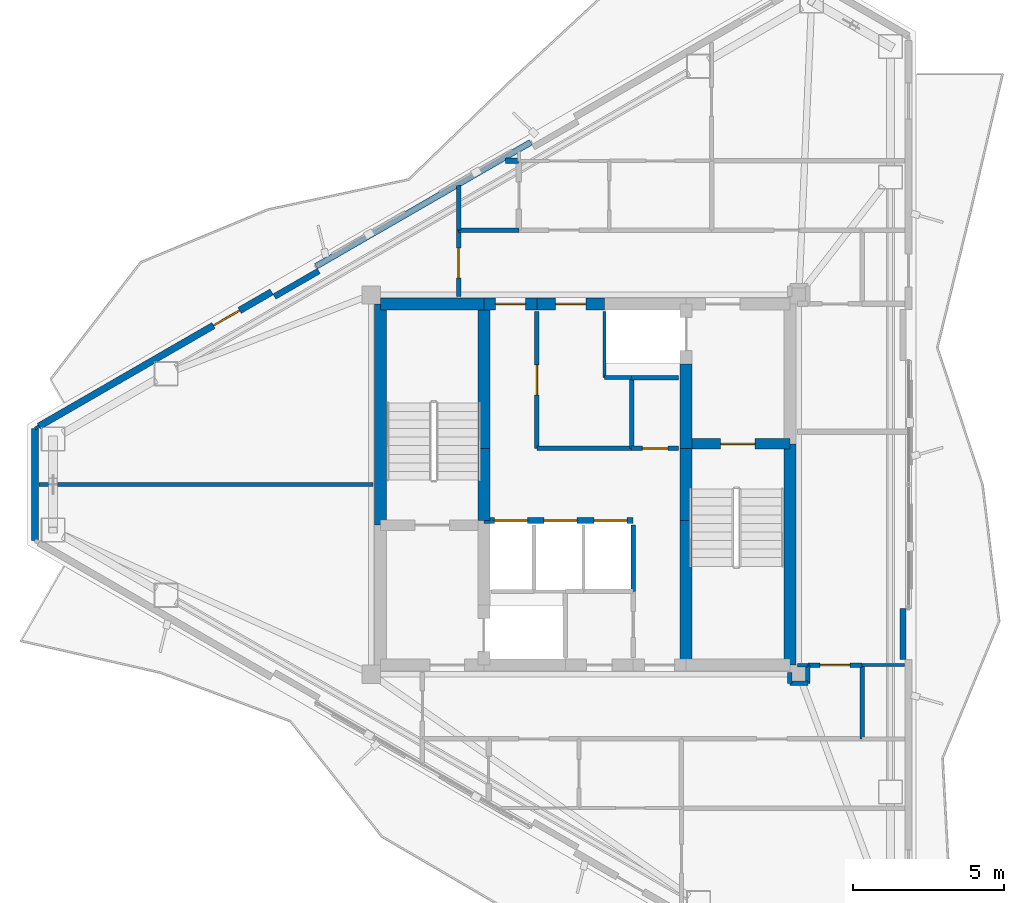
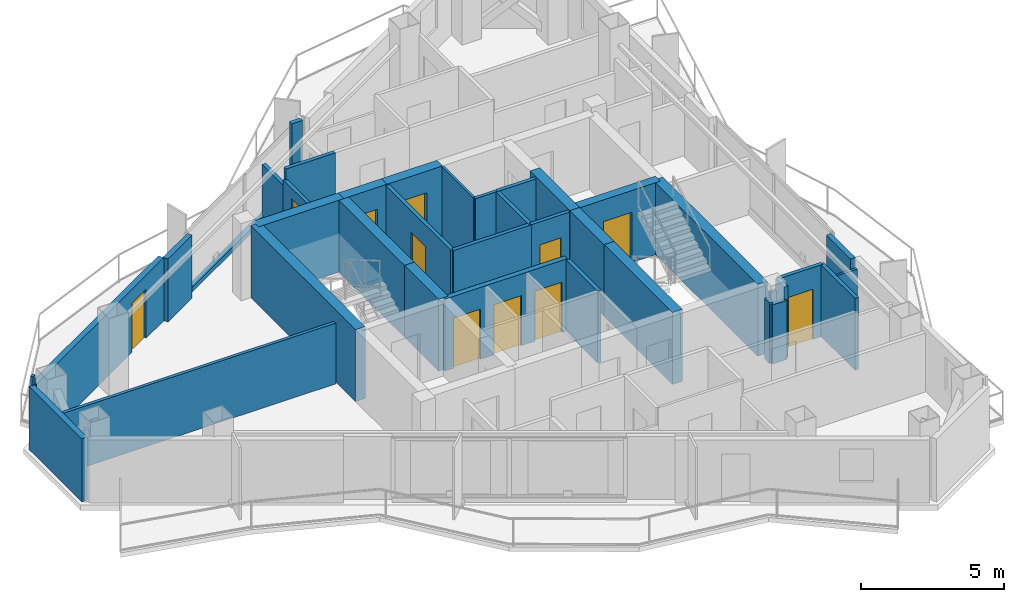
# One storey, part 15 of 18: 38 walls, 11 doors, 11 openings.
"""IFC4 building model written with IfcOpenShell, lengths in metres."""

from ifc_helpers import new_model, si_unit, direction, frame, frame_2d, origin, place, context, subcontext, project, spatial, rectangle, extrude, material, layer, layer_set, type_object, element, fill, save


model = new_model("IFC4")

# Units and contexts
model_context = context("Model", 3, precision=1e-05, world=origin(), true_north=direction((0.0, 1.0)))
body_context = subcontext(model_context, "Body", "Model", "MODEL_VIEW")
ifc_project = project(units=[si_unit("LENGTHUNIT", "METRE"), si_unit("AREAUNIT", "SQUARE_METRE"), si_unit("VOLUMEUNIT", "CUBIC_METRE"), si_unit("PLANEANGLEUNIT", "RADIAN"), si_unit("MASSUNIT", "GRAM", prefix="KILO")], contexts=[model_context])

# Site, building, storey
site_placement = place(None, origin())
site = spatial("IfcSite", under=ifc_project, at=site_placement, CompositionType="ELEMENT")
building_placement = place(site_placement, origin())
building = spatial("IfcBuilding", under=site, at=building_placement, Name="Mersakhor Tower and Convention Hall", CompositionType="ELEMENT")
storey_placement = place(building_placement, frame((0.0, 0.0, 226.5)))
storey = spatial("IfcBuildingStorey", under=building, at=storey_placement, Name="L63", CompositionType="ELEMENT", Elevation=226.5)

# Wall
ifc_material_1 = material(Name="Precast concrete C40/50", Category="concrete")
ifc_layer_1 = layer(ifc_material_1, 0.22509765625)
ifc_layer_set_1 = layer_set([ifc_layer_1], Name="Precast concrete C40/50")
wall_type_1 = type_object("IfcWallType", Name="WL-EXT-225", PredefinedType="SOLIDWALL", material=ifc_layer_set_1)
wall_1_placement = place(storey_placement, frame((10.73193359375, 24.892333984375, 0.0), z_axis=(0.0, 0.0, 1.0), x_axis=(0.0, 1.0, 0.0)))
element("IfcWall", 1, at=wall_1_placement, inside=storey, type_object=wall_type_1, Name="L63 Chamfer Braced Spandrel Wall C3", PredefinedType="SOLIDWALL", context=body_context, shape_type="SweptSolid", body=[
    extrude(rectangle(XDim=3.71533203125, YDim=0.22509765625, at=frame_2d((1.857666015625, 0.0))), origin(), (0.0, 0.0, 1.0), 2.699951171875),
])

# Wall, opening, door
wall_2_placement = place(storey_placement, frame((10.86181640625, 28.6826171875, 0.0), z_axis=(0.0, 0.0, 1.0), x_axis=(0.866026655105, 0.499997832642, 0.0)))
wall_2 = element("IfcWall", 2, at=wall_2_placement, inside=storey, type_object=wall_type_1, Name="L63 Exterior Facade Wall F1-B1", PredefinedType="SOLIDWALL", context=body_context, shape_type="SweptSolid", body=[
    extrude(rectangle(XDim=8.927734375, YDim=0.22509765625, at=frame_2d((4.4638671875, 0.0))), origin(), (0.0, 0.0, 1.0), 2.699951171875),
])
opening_1_placement = place(wall_2_placement, frame((6.696044921875, 0.0, 0.0)))
opening_1 = element("IfcOpeningElement", 3, at=opening_1_placement, cuts=wall_2, Name="Opening BD-01", PredefinedType="OPENING", context=body_context, shape_type="SweptSolid", body=[
    extrude(rectangle(XDim=1.0, YDim=2.10009765625, at=frame_2d((0.5, 1.050048828125))), frame((0.0, 0.12255859375, 0.0), z_axis=(0.0, -1.0, 0.0), x_axis=(1.0, 0.0, 0.0)), (0.0, 0.0, 1.0), 0.2451171875),
])
ifc_material_2 = material(Name="Thermally broken dark aluminium and safety glass", Category="aluminium")
door_type_1 = type_object("IfcDoorType", Name="DR-BAL-100x210", OperationType="NOTDEFINED", PredefinedType="DOOR", material=ifc_material_2)
door_1_placement = place(opening_1_placement, origin())
door_1 = element("IfcDoor", 4, at=door_1_placement, inside=storey, type_object=door_type_1, Name="L63 Balcony Terrace Door F1-B1", OperationType="SINGLE_SWING_LEFT", OverallHeight=2.10009765625, OverallWidth=1.0, PredefinedType="DOOR", context=body_context, shape_type="SweptSolid", body=[
    extrude(rectangle(XDim=1.0, YDim=2.10009765625, at=frame_2d((0.5, 1.050048828125))), frame((0.0, 0.02490234375, 0.0), z_axis=(0.0, -1.0, 0.0), x_axis=(1.0, 0.0, 0.0)), (0.0, 0.0, 1.0), 0.050048828125),
])
fill(opening_1, door_1)

# Walls
ifc_material_3 = material(Name="Precast concrete C40/50", Category="concrete")
ifc_layer_2 = layer(ifc_material_3, 0.199951171875)
ifc_layer_set_2 = layer_set([ifc_layer_2], Name="Precast concrete C40/50")
wall_type_2 = type_object("IfcWallType", Name="WL-PAR-200", PredefinedType="PARAPET", material=ifc_layer_set_2)
wall_3_placement = place(storey_placement, frame((20.06591796875, 33.99658203125, 0.0), z_axis=(0.0, 0.0, 1.0), x_axis=(0.866019557082, 0.500010126649, 0.0)))
element("IfcWall", 5, at=wall_3_placement, inside=storey, type_object=wall_type_2, Name="L63 Curtain Wall Upstand Sill F1-B2", PredefinedType="PARAPET", context=body_context, shape_type="SweptSolid", body=[
    extrude(rectangle(XDim=8.227783203125, YDim=0.199951171875, at=frame_2d((4.11376953125, 0.0))), origin(), (0.0, 0.0, 1.0), 0.199951171875),
])
wall_4_placement = place(storey_placement, frame((18.68359375, 32.99072265625, 0.0), z_axis=(0.0, 0.0, 1.0), x_axis=(0.866025371046, 0.500000056704, 0.0)))
element("IfcWall", 6, at=wall_4_placement, inside=storey, type_object=wall_type_2, Name="L63 Column Pier Cladding Wall F1-C1", PredefinedType="PARAPET", context=body_context, shape_type="SweptSolid", body=[
    extrude(rectangle(XDim=1.7001953125, YDim=0.199951171875, at=frame_2d((0.85009765625, 0.0))), origin(), (0.0, 0.0, 1.0), 2.699951171875),
])
wall_5_placement = place(storey_placement, frame((39.562744140625, 22.635986328125, 0.0), z_axis=(0.0, 0.0, 1.0), x_axis=(0.0, -1.0, 0.0)))
element("IfcWall", 7, at=wall_5_placement, inside=storey, type_object=wall_type_2, Name="L63 Column Pier Cladding Wall F2-C2", PredefinedType="PARAPET", context=body_context, shape_type="SweptSolid", body=[
    extrude(rectangle(XDim=1.699951171875, YDim=0.199951171875, at=frame_2d((0.85009765625, 0.0))), origin(), (0.0, 0.0, 1.0), 2.699951171875),
])
ifc_material_4 = material(Name="Moisture-resistant acoustic drywall studwork", Category="other")
ifc_layer_3 = layer(ifc_material_4, 0.175048828125)
ifc_layer_set_3 = layer_set([ifc_layer_3], Name="Moisture-resistant acoustic drywall studwork")
wall_type_3 = type_object("IfcWallType", Name="WL-PLM-175", PredefinedType="PLUMBINGWALL", material=ifc_layer_set_3)
wall_6_placement = place(storey_placement, frame((26.356689453125, 37.5, 0.0), z_axis=(0.0, 0.0, 1.0), x_axis=(1.0, 0.0, 0.0)))
element("IfcWall", 8, at=wall_6_placement, inside=storey, type_object=wall_type_3, Name="L63 Interior Partition Wall P-046", PredefinedType="PLUMBINGWALL", context=body_context, shape_type="SweptSolid", body=[
    extrude(rectangle(XDim=0.42822265625, YDim=0.175048828125, at=frame_2d((0.214111328125, 0.0))), origin(), (0.0, 0.0, 1.0), 3.080078125),
])
ifc_material_5 = material(Name="Lightweight gypsum partition", Category="other")
ifc_layer_4 = layer(ifc_material_5, 0.10009765625)
ifc_layer_set_4 = layer_set([ifc_layer_4], Name="Lightweight gypsum partition")
wall_type_4 = type_object("IfcWallType", Name="WL-PRT-100", PredefinedType="PARTITIONING", material=ifc_layer_set_4)
wall_7_placement = place(storey_placement, frame((29.64990234375, 30.300048828125, 0.0), z_axis=(0.0, 0.0, 1.0), x_axis=(0.0, 1.0, 0.0)))
element("IfcWall", 9, at=wall_7_placement, inside=storey, type_object=wall_type_4, Name="L63 Interior Partition Wall P-006", PredefinedType="PARTITIONING", context=body_context, shape_type="SweptSolid", body=[
    extrude(rectangle(XDim=2.199951171875, YDim=0.10009765625, at=frame_2d((1.10009765625, 0.0))), origin(), (0.0, 0.0, 1.0), 3.080078125),
])
wall_8_placement = place(storey_placement, frame((10.73193359375, 28.60791015625, 0.0), z_axis=(0.0, 0.0, 1.0), x_axis=(0.866131372301, 0.499816412211, 0.0)))
element("IfcWall", 10, at=wall_8_placement, inside=storey, type_object=wall_type_4, Name="L63 Interior Partition Wall P-058", PredefinedType="PARTITIONING", context=body_context, shape_type="SweptSolid", body=[
    extrude(rectangle(XDim=0.14990234375, YDim=0.10009765625, at=frame_2d((0.074951171875, 0.0))), origin(), (0.0, 0.0, 1.0), 3.080078125),
])
wall_9_placement = place(storey_placement, frame((39.606201171875, 20.75, 0.0), z_axis=(0.0, 0.0, 1.0), x_axis=(-1.0, 0.0, 0.0)))
element("IfcWall", 11, at=wall_9_placement, inside=storey, type_object=wall_type_4, Name="L63 Interior Partition Wall P-060", PredefinedType="PARTITIONING", context=body_context, shape_type="SweptSolid", body=[
    extrude(rectangle(XDim=1.40625, YDim=0.10009765625, at=frame_2d((0.703125, 0.0))), origin(), (0.0, 0.0, 1.0), 2.364990234375),
])
ifc_material_6 = material(Name="Gypsum board acoustic partition", Category="other")
ifc_layer_5 = layer(ifc_material_6, 0.125)
ifc_layer_set_5 = layer_set([ifc_layer_5], Name="Gypsum board acoustic partition")
wall_type_5 = type_object("IfcWallType", Name="WL-PRT-125", PredefinedType="PARTITIONING", material=ifc_layer_set_5)
wall_10_placement = place(storey_placement, frame((30.550048828125, 30.300048828125, 0.0), z_axis=(0.0, 0.0, 1.0), x_axis=(-1.0, 0.0, 0.0)))
element("IfcWall", 12, at=wall_10_placement, inside=storey, type_object=wall_type_5, Name="L63 Interior Partition Wall P-005", PredefinedType="PARTITIONING", context=body_context, shape_type="SweptSolid", body=[
    extrude(rectangle(XDim=0.900146484375, YDim=0.125, at=frame_2d((0.4501953125, 0.0))), origin(), (0.0, 0.0, 1.0), 3.080078125),
])
wall_11_placement = place(storey_placement, frame((21.949951171875, 26.75, 0.0), z_axis=(0.0, 0.0, 1.0), x_axis=(-1.0, 0.0, 0.0)))
element("IfcWall", 13, at=wall_11_placement, inside=storey, type_object=wall_type_5, Name="L63 Interior Partition Wall P-057", PredefinedType="PARTITIONING", context=body_context, shape_type="SweptSolid", body=[
    extrude(rectangle(XDim=11.08154296875, YDim=0.125, at=frame_2d((5.540771484375, 0.0))), origin(), (0.0, 0.0, 1.0), 2.60498046875),
])
wall_12_placement = place(storey_placement, frame((36.39990234375, 20.75, 0.0), z_axis=(0.0, 0.0, 1.0), x_axis=(-1.0, 0.0, 0.0)))
element("IfcWall", 14, at=wall_12_placement, inside=storey, type_object=wall_type_5, Name="L63 Interior Partition Wall P-061", PredefinedType="PARTITIONING", context=body_context, shape_type="SweptSolid", body=[
    extrude(rectangle(XDim=0.349853515625, YDim=0.125, at=frame_2d((0.1748046875, 0.0))), origin(), (0.0, 0.0, 1.0), 2.60498046875),
])
ifc_material_7 = material(Name="Fire-rated gypsum board stud partition", Category="other")
ifc_layer_6 = layer(ifc_material_7, 0.14990234375)
ifc_layer_set_6 = layer_set([ifc_layer_6], Name="Fire-rated gypsum board stud partition")
wall_type_6 = type_object("IfcWallType", Name="WL-PRT-150", PredefinedType="PARTITIONING", material=ifc_layer_set_6)
wall_13_placement = place(storey_placement, frame((32.10009765625, 30.300048828125, 0.0), z_axis=(0.0, 0.0, 1.0), x_axis=(-1.0, 0.0, 0.0)))
element("IfcWall", 15, at=wall_13_placement, inside=storey, type_object=wall_type_6, Name="L63 Interior Partition Wall P-004", PredefinedType="PARTITIONING", context=body_context, shape_type="SweptSolid", body=[
    extrude(rectangle(XDim=1.550048828125, YDim=0.14990234375, at=frame_2d((0.77490234375, 0.0))), origin(), (0.0, 0.0, 1.0), 3.080078125),
])
wall_14_placement = place(storey_placement, frame((30.60009765625, 25.39990234375, 0.0), z_axis=(0.0, 0.0, 1.0), x_axis=(0.0, -1.0, 0.0)))
element("IfcWall", 16, at=wall_14_placement, inside=storey, type_object=wall_type_6, Name="L63 Interior Partition Wall P-010", PredefinedType="PARTITIONING", context=body_context, shape_type="SweptSolid", body=[
    extrude(rectangle(XDim=2.199951171875, YDim=0.14990234375, at=frame_2d((1.10009765625, 0.0))), origin(), (0.0, 0.0, 1.0), 3.080078125),
])

# Wall, opening, door
wall_15_placement = place(storey_placement, frame((27.39990234375, 32.5, 0.0), z_axis=(0.0, 0.0, 1.0), x_axis=(0.0, -1.0, 0.0)))
wall_15 = element("IfcWall", 17, at=wall_15_placement, inside=storey, type_object=wall_type_6, Name="L63 Interior Partition Wall P-013", PredefinedType="PARTITIONING", context=body_context, shape_type="SweptSolid", body=[
    extrude(rectangle(XDim=4.550048828125, YDim=0.14990234375, at=frame_2d((2.27490234375, 0.0))), origin(), (0.0, 0.0, 1.0), 3.080078125),
])
opening_2_placement = place(wall_15_placement, frame((1.77490234375, 0.0, 0.0)))
opening_2 = element("IfcOpeningElement", 18, at=opening_2_placement, cuts=wall_15, Name="Opening FD-01", PredefinedType="OPENING", context=body_context, shape_type="SweptSolid", body=[
    extrude(rectangle(XDim=1.0, YDim=2.14990234375, at=frame_2d((0.5, 1.074951171875))), frame((0.0, 0.0849609375, 0.0), z_axis=(0.0, -1.0, 0.0), x_axis=(1.0, 0.0, 0.0)), (0.0, 0.0, 1.0), 0.169921875),
])
ifc_material_8 = material(Name="Fire-rated hardwood leaf and painted steel frame", Category="steel")
door_type_2 = type_object("IfcDoorType", Name="DR-INT-FLT-100x215", OperationType="NOTDEFINED", PredefinedType="DOOR", material=ifc_material_8)
door_2_placement = place(opening_2_placement, origin())
door_2 = element("IfcDoor", 19, at=door_2_placement, inside=storey, type_object=door_type_2, Name="L63 Central Passenger Lift Lobby to Quiet Core Study Room Door", OperationType="SINGLE_SWING_LEFT", OverallHeight=2.14990234375, OverallWidth=1.0, PredefinedType="DOOR", context=body_context, shape_type="SweptSolid", body=[
    extrude(rectangle(XDim=1.0, YDim=2.14990234375, at=frame_2d((0.5, 1.074951171875))), frame((0.0, 0.02490234375, 0.0), z_axis=(0.0, -1.0, 0.0), x_axis=(1.0, 0.0, 0.0)), (0.0, 0.0, 1.0), 0.050048828125),
])
fill(opening_2, door_2)

# Wall
wall_16_placement = place(storey_placement, frame((27.39990234375, 27.949951171875, 0.0), z_axis=(0.0, 0.0, 1.0), x_axis=(1.0, 0.0, 0.0)))
element("IfcWall", 20, at=wall_16_placement, inside=storey, type_object=wall_type_6, Name="L63 Interior Partition Wall P-014", PredefinedType="PARTITIONING", context=body_context, shape_type="SweptSolid", body=[
    extrude(rectangle(XDim=3.150146484375, YDim=0.14990234375, at=frame_2d((1.5751953125, 0.0))), origin(), (0.0, 0.0, 1.0), 3.080078125),
])

# Wall, opening, door
wall_17_placement = place(storey_placement, frame((30.550048828125, 27.949951171875, 0.0), z_axis=(0.0, 0.0, 1.0), x_axis=(1.0, 0.0, 0.0)))
wall_17 = element("IfcWall", 21, at=wall_17_placement, inside=storey, type_object=wall_type_6, Name="L63 Interior Partition Wall P-015", PredefinedType="PARTITIONING", context=body_context, shape_type="SweptSolid", body=[
    extrude(rectangle(XDim=1.550048828125, YDim=0.14990234375, at=frame_2d((0.77490234375, 0.0))), origin(), (0.0, 0.0, 1.0), 3.080078125),
])
opening_3_placement = place(wall_17_placement, frame((0.35009765625, 0.0, 0.0)))
opening_3 = element("IfcOpeningElement", 22, at=opening_3_placement, cuts=wall_17, Name="Opening SVD-01", PredefinedType="OPENING", context=body_context, shape_type="SweptSolid", body=[
    extrude(rectangle(XDim=0.85009765625, YDim=2.10009765625, at=frame_2d((0.425048828125, 1.050048828125))), frame((0.0, 0.0849609375, 0.0), z_axis=(0.0, -1.0, 0.0), x_axis=(1.0, 0.0, 0.0)), (0.0, 0.0, 1.0), 0.169921875),
])
ifc_material_9 = material(Name="Fire-rated hardwood leaf and painted steel frame", Category="steel")
door_type_3 = type_object("IfcDoorType", Name="DR-INT-SVC-085x210", OperationType="NOTDEFINED", PredefinedType="DOOR", material=ifc_material_9)
door_3_placement = place(opening_3_placement, origin())
door_3 = element("IfcDoor", 23, at=door_3_placement, inside=storey, type_object=door_type_3, Name="L63 Central Passenger Lift Lobby to Housekeeping Linen Store Room Door", OperationType="SINGLE_SWING_RIGHT", OverallHeight=2.10009765625, OverallWidth=0.85009765625, PredefinedType="DOOR", context=body_context, shape_type="SweptSolid", body=[
    extrude(rectangle(XDim=0.85009765625, YDim=2.10009765625, at=frame_2d((0.425048828125, 1.050048828125))), frame((0.0, 0.02490234375, 0.0), z_axis=(0.0, -1.0, 0.0), x_axis=(1.0, 0.0, 0.0)), (0.0, 0.0, 1.0), 0.050048828125),
])
fill(opening_3, door_3)

# Wall
wall_18_placement = place(storey_placement, frame((24.800048828125, 35.199951171875, 0.0), z_axis=(0.0, 0.0, 1.0), x_axis=(1.0, 0.0, 0.0)))
element("IfcWall", 24, at=wall_18_placement, inside=storey, type_object=wall_type_6, Name="L63 Interior Partition Wall P-016", PredefinedType="PARTITIONING", context=body_context, shape_type="SweptSolid", body=[
    extrude(rectangle(XDim=2.0, YDim=0.14990234375, at=frame_2d((1.0, 0.0))), origin(), (0.0, 0.0, 1.0), 3.080078125),
])

# Wall, opening, door
wall_19_placement = place(storey_placement, frame((24.800048828125, 33.0, 0.0), z_axis=(0.0, 0.0, 1.0), x_axis=(0.0, 1.0, 0.0)))
wall_19 = element("IfcWall", 25, at=wall_19_placement, inside=storey, type_object=wall_type_6, Name="L63 Interior Partition Wall P-025", PredefinedType="PARTITIONING", context=body_context, shape_type="SweptSolid", body=[
    extrude(rectangle(XDim=2.199951171875, YDim=0.14990234375, at=frame_2d((1.10009765625, 0.0))), origin(), (0.0, 0.0, 1.0), 2.60498046875),
])
opening_4_placement = place(wall_19_placement, frame((0.60009765625, 0.0, 0.0)))
opening_4 = element("IfcOpeningElement", 26, at=opening_4_placement, cuts=wall_19, Name="Opening FD-01", PredefinedType="OPENING", context=body_context, shape_type="SweptSolid", body=[
    extrude(rectangle(XDim=1.0, YDim=2.14990234375, at=frame_2d((0.5, 1.074951171875))), frame((0.0, 0.0849609375, 0.0), z_axis=(0.0, -1.0, 0.0), x_axis=(1.0, 0.0, 0.0)), (0.0, 0.0, 1.0), 0.169921875),
])
door_4_placement = place(opening_4_placement, origin())
door_4 = element("IfcDoor", 27, at=door_4_placement, inside=storey, type_object=door_type_2, Name="L63 Residential North Gallery Corridor to L63 West Crown Observation Lounge Door", OperationType="SINGLE_SWING_RIGHT", OverallHeight=2.14990234375, OverallWidth=1.0, PredefinedType="DOOR", context=body_context, shape_type="SweptSolid", body=[
    extrude(rectangle(XDim=1.0, YDim=2.14990234375, at=frame_2d((0.5, 1.074951171875))), frame((0.0, 0.02490234375, 0.0), z_axis=(0.0, -1.0, 0.0), x_axis=(1.0, 0.0, 0.0)), (0.0, 0.0, 1.0), 0.050048828125),
])
fill(opening_4, door_4)

# Walls
wall_20_placement = place(storey_placement, frame((35.800048828125, 20.14990234375, 0.0), z_axis=(0.0, 0.0, 1.0), x_axis=(1.0, 0.0, 0.0)))
element("IfcWall", 28, at=wall_20_placement, inside=storey, type_object=wall_type_6, Name="L63 Interior Partition Wall P-026", PredefinedType="PARTITIONING", context=body_context, shape_type="SweptSolid", body=[
    extrude(rectangle(XDim=0.599853515625, YDim=0.14990234375, at=frame_2d((0.2998046875, 0.0))), origin(), (0.0, 0.0, 1.0), 2.5283203125),
])
wall_21_placement = place(storey_placement, frame((36.39990234375, 20.14990234375, 0.0), z_axis=(0.0, 0.0, 1.0), x_axis=(0.0, 1.0, 0.0)))
element("IfcWall", 29, at=wall_21_placement, inside=storey, type_object=wall_type_6, Name="L63 Interior Partition Wall P-027", PredefinedType="PARTITIONING", context=body_context, shape_type="SweptSolid", body=[
    extrude(rectangle(XDim=0.60009765625, YDim=0.14990234375, at=frame_2d((0.300048828125, 0.0))), origin(), (0.0, 0.0, 1.0), 3.080078125),
])

# Wall, opening, door
wall_22_placement = place(storey_placement, frame((36.39990234375, 20.75, 0.0), z_axis=(0.0, 0.0, 1.0), x_axis=(1.0, 0.0, 0.0)))
wall_22 = element("IfcWall", 30, at=wall_22_placement, inside=storey, type_object=wall_type_6, Name="L63 Interior Partition Wall P-028", PredefinedType="PARTITIONING", context=body_context, shape_type="SweptSolid", body=[
    extrude(rectangle(XDim=1.800048828125, YDim=0.14990234375, at=frame_2d((0.89990234375, 0.0))), origin(), (0.0, 0.0, 1.0), 3.080078125),
])
opening_5_placement = place(wall_22_placement, frame((0.39990234375, 0.0, 0.0)))
opening_5 = element("IfcOpeningElement", 31, at=opening_5_placement, cuts=wall_22, Name="Opening FD-01", PredefinedType="OPENING", context=body_context, shape_type="SweptSolid", body=[
    extrude(rectangle(XDim=1.0, YDim=2.14990234375, at=frame_2d((0.5, 1.074951171875))), frame((0.0, 0.0849609375, 0.0), z_axis=(0.0, -1.0, 0.0), x_axis=(1.0, 0.0, 0.0)), (0.0, 0.0, 1.0), 0.169921875),
])
door_5_placement = place(opening_5_placement, origin())
door_5 = element("IfcDoor", 32, at=door_5_placement, inside=storey, type_object=door_type_2, Name="L63 Residential South Gallery Corridor to L63 East Crown Shared Laundry Door", OperationType="SINGLE_SWING_LEFT", OverallHeight=2.14990234375, OverallWidth=1.0, PredefinedType="DOOR", context=body_context, shape_type="SweptSolid", body=[
    extrude(rectangle(XDim=1.0, YDim=2.14990234375, at=frame_2d((0.5, 1.074951171875))), frame((0.0, 0.02490234375, 0.0), z_axis=(0.0, -1.0, 0.0), x_axis=(1.0, 0.0, 0.0)), (0.0, 0.0, 1.0), 0.050048828125),
])
fill(opening_5, door_5)

# Walls
wall_23_placement = place(storey_placement, frame((38.199951171875, 20.75, 0.0), z_axis=(0.0, 0.0, 1.0), x_axis=(0.0, -1.0, 0.0)))
element("IfcWall", 33, at=wall_23_placement, inside=storey, type_object=wall_type_6, Name="L63 Interior Partition Wall P-029", PredefinedType="PARTITIONING", context=body_context, shape_type="SweptSolid", body=[
    extrude(rectangle(XDim=2.449951171875, YDim=0.14990234375, at=frame_2d((1.22509765625, 0.0))), origin(), (0.0, 0.0, 1.0), 3.080078125),
])
wall_24_placement = place(storey_placement, frame((35.800048828125, 20.5, 0.0), z_axis=(0.0, 0.0, 1.0), x_axis=(0.0, -1.0, 0.0)))
element("IfcWall", 34, at=wall_24_placement, inside=storey, type_object=wall_type_6, Name="L63 Interior Partition Wall P-035", PredefinedType="PARTITIONING", context=body_context, shape_type="SweptSolid", body=[
    extrude(rectangle(XDim=0.35009765625, YDim=0.14990234375, at=frame_2d((0.175048828125, 0.0))), origin(), (0.0, 0.0, 1.0), 2.60498046875),
])
wall_25_placement = place(storey_placement, frame((24.800048828125, 35.199951171875, 0.0), z_axis=(0.0, 0.0, 1.0), x_axis=(0.0, 1.0, 0.0)))
element("IfcWall", 35, at=wall_25_placement, inside=storey, type_object=wall_type_6, Name="L63 Interior Partition Wall P-045", PredefinedType="PARTITIONING", context=body_context, shape_type="SweptSolid", body=[
    extrude(rectangle(XDim=1.483642578125, YDim=0.14990234375, at=frame_2d((0.74169921875, 0.0))), origin(), (0.0, 0.0, 1.0), 2.364990234375),
])
wall_26_placement = place(storey_placement, frame((30.550048828125, 30.300048828125, 0.0), z_axis=(0.0, 0.0, 1.0), x_axis=(0.0, -1.0, 0.0)))
element("IfcWall", 36, at=wall_26_placement, inside=storey, type_object=wall_type_6, Name="L63 Interior Partition Wall P-052", PredefinedType="PARTITIONING", context=body_context, shape_type="SweptSolid", body=[
    extrude(rectangle(XDim=2.35009765625, YDim=0.14990234375, at=frame_2d((1.175048828125, 0.0))), origin(), (0.0, 0.0, 1.0), 3.080078125),
])

# Wall, openings, doors
ifc_material_10 = material(Name="Acoustic concrete blockwork and gypsum board", Category="masonry")
ifc_layer_7 = layer(ifc_material_10, 0.199951171875)
ifc_layer_set_7 = layer_set([ifc_layer_7], Name="Acoustic concrete blockwork and gypsum board")
wall_type_7 = type_object("IfcWallType", Name="WL-PRT-200", PredefinedType="PARTITIONING", material=ifc_layer_set_7)
wall_27_placement = place(storey_placement, frame((25.64990234375, 25.550048828125, 0.0), z_axis=(0.0, 0.0, 1.0), x_axis=(1.0, 0.0, 0.0)))
wall_27 = element("IfcWall", 37, at=wall_27_placement, inside=storey, type_object=wall_type_7, Name="L63 High-Rise Lift Bank Front Wall", PredefinedType="PARTITIONING", context=body_context, shape_type="SweptSolid", body=[
    extrude(rectangle(XDim=4.9501953125, YDim=0.199951171875, at=frame_2d((2.47509765625, 0.0))), origin(), (0.0, 0.0, 1.0), 3.080078125),
])
opening_6_placement = place(wall_27_placement, frame((0.340087890625, 0.0, 0.0)))
opening_6 = element("IfcOpeningElement", 38, at=opening_6_placement, cuts=wall_27, Name="Opening LD-P4", PredefinedType="OPENING", context=body_context, shape_type="SweptSolid", body=[
    extrude(rectangle(XDim=1.10009765625, YDim=2.14990234375, at=frame_2d((0.550048828125, 1.074951171875))), frame((0.0, 0.10986328125, 0.0), z_axis=(0.0, -1.0, 0.0), x_axis=(1.0, 0.0, 0.0)), (0.0, 0.0, 1.0), 0.219970703125),
])
opening_7_placement = place(wall_27_placement, frame((1.989990234375, 0.0, 0.0)))
opening_7 = element("IfcOpeningElement", 39, at=opening_7_placement, cuts=wall_27, Name="Opening LD-P5", PredefinedType="OPENING", context=body_context, shape_type="SweptSolid", body=[
    extrude(rectangle(XDim=1.10009765625, YDim=2.14990234375, at=frame_2d((0.550048828125, 1.074951171875))), frame((0.0, 0.10986328125, 0.0), z_axis=(0.0, -1.0, 0.0), x_axis=(1.0, 0.0, 0.0)), (0.0, 0.0, 1.0), 0.219970703125),
])
opening_8_placement = place(wall_27_placement, frame((3.639892578125, 0.0, 0.0)))
opening_8 = element("IfcOpeningElement", 40, at=opening_8_placement, cuts=wall_27, Name="Opening LD-P6", PredefinedType="OPENING", context=body_context, shape_type="SweptSolid", body=[
    extrude(rectangle(XDim=1.10009765625, YDim=2.14990234375, at=frame_2d((0.550048828125, 1.074951171875))), frame((0.0, 0.10986328125, 0.0), z_axis=(0.0, -1.0, 0.0), x_axis=(1.0, 0.0, 0.0)), (0.0, 0.0, 1.0), 0.219970703125),
])
ifc_material_11 = material(Name="Fire-rated brushed stainless steel sliding landing door", Category="steel")
door_type_4 = type_object("IfcDoorType", Name="DR-LIFT-SLD-110x215", OperationType="NOTDEFINED", PredefinedType="DOOR", material=ifc_material_11)
door_6_placement = place(opening_6_placement, origin())
door_6 = element("IfcDoor", 41, at=door_6_placement, inside=storey, type_object=door_type_4, Name="L63 Lift Landing Door LD-P4", OperationType="SLIDING_TO_LEFT", OverallHeight=2.14990234375, OverallWidth=1.10009765625, PredefinedType="DOOR", context=body_context, shape_type="SweptSolid", body=[
    extrude(rectangle(XDim=1.10009765625, YDim=2.14990234375, at=frame_2d((0.550048828125, 1.074951171875))), frame((0.0, 0.02490234375, 0.0), z_axis=(0.0, -1.0, 0.0), x_axis=(1.0, 0.0, 0.0)), (0.0, 0.0, 1.0), 0.050048828125),
])
fill(opening_6, door_6)
door_7_placement = place(opening_7_placement, origin())
door_7 = element("IfcDoor", 42, at=door_7_placement, inside=storey, type_object=door_type_4, Name="L63 Lift Landing Door LD-P5", OperationType="SLIDING_TO_LEFT", OverallHeight=2.14990234375, OverallWidth=1.10009765625, PredefinedType="DOOR", context=body_context, shape_type="SweptSolid", body=[
    extrude(rectangle(XDim=1.10009765625, YDim=2.14990234375, at=frame_2d((0.550048828125, 1.074951171875))), frame((0.0, 0.02490234375, 0.0), z_axis=(0.0, -1.0, 0.0), x_axis=(1.0, 0.0, 0.0)), (0.0, 0.0, 1.0), 0.050048828125),
])
fill(opening_7, door_7)
door_8_placement = place(opening_8_placement, origin())
door_8 = element("IfcDoor", 43, at=door_8_placement, inside=storey, type_object=door_type_4, Name="L63 Lift Landing Door LD-P6", OperationType="SLIDING_TO_LEFT", OverallHeight=2.14990234375, OverallWidth=1.10009765625, PredefinedType="DOOR", context=body_context, shape_type="SweptSolid", body=[
    extrude(rectangle(XDim=1.10009765625, YDim=2.14990234375, at=frame_2d((0.550048828125, 1.074951171875))), frame((0.0, 0.02490234375, 0.0), z_axis=(0.0, -1.0, 0.0), x_axis=(1.0, 0.0, 0.0)), (0.0, 0.0, 1.0), 0.050048828125),
])
fill(opening_8, door_8)

# Wall, opening, door
ifc_material_12 = material(Name="Concrete C50/60", Category="concrete")
ifc_layer_8 = layer(ifc_material_12, 0.35009765625)
ifc_layer_set_8 = layer_set([ifc_layer_8], Name="Concrete C50/60")
wall_type_8 = type_object("IfcWallType", Name="WL-SHR-350", PredefinedType="SHEAR", material=ifc_layer_set_8)
wall_28_placement = place(storey_placement, frame((32.35009765625, 28.10009765625, 0.0), z_axis=(0.0, 0.0, 1.0), x_axis=(1.0, 0.0, 0.0)))
wall_28 = element("IfcWall", 44, at=wall_28_placement, inside=storey, type_object=wall_type_8, Name="L63 Core Wall CS-ST2-N", PredefinedType="SHEAR", context=body_context, shape_type="SweptSolid", body=[
    extrude(rectangle(XDim=3.449951171875, YDim=0.35009765625, at=frame_2d((1.72509765625, 0.0))), origin(), (0.0, 0.0, 1.0), 3.080078125),
])
opening_9_placement = place(wall_28_placement, frame((1.14990234375, 0.0, 0.0)))
opening_9 = element("IfcOpeningElement", 45, at=opening_9_placement, cuts=wall_28, Name="Opening SD-01", PredefinedType="OPENING", context=body_context, shape_type="SweptSolid", body=[
    extrude(rectangle(XDim=1.14990234375, YDim=2.14990234375, at=frame_2d((0.574951171875, 1.074951171875))), frame((0.0, 0.18505859375, 0.0), z_axis=(0.0, -1.0, 0.0), x_axis=(1.0, 0.0, 0.0)), (0.0, 0.0, 1.0), 0.3701171875),
])
ifc_material_13 = material(Name="Fire-rated hardwood leaf and painted steel frame", Category="steel")
door_type_5 = type_object("IfcDoorType", Name="DR-INT-STAIR-115x215", OperationType="NOTDEFINED", PredefinedType="DOOR", material=ifc_material_13)
door_9_placement = place(opening_9_placement, origin())
door_9 = element("IfcDoor", 46, at=door_9_placement, inside=storey, type_object=door_type_5, Name="L63 Exit Stair ST-2 Enclosure Door", OperationType="SINGLE_SWING_RIGHT", OverallHeight=2.14990234375, OverallWidth=1.14990234375, PredefinedType="DOOR", context=body_context, shape_type="SweptSolid", body=[
    extrude(rectangle(XDim=1.14990234375, YDim=2.14990234375, at=frame_2d((0.574951171875, 1.074951171875))), frame((0.0, 0.02490234375, 0.0), z_axis=(0.0, -1.0, 0.0), x_axis=(1.0, 0.0, 0.0)), (0.0, 0.0, 1.0), 0.050048828125),
])
fill(opening_9, door_9)

# Walls
ifc_material_14 = material(Name="Concrete C60/75", Category="concrete")
ifc_layer_9 = layer(ifc_material_14, 0.39990234375)
ifc_layer_set_9 = layer_set([ifc_layer_9], Name="Concrete C60/75")
wall_type_9 = type_object("IfcWallType", Name="WL-SHR-400", PredefinedType="SHEAR", material=ifc_layer_set_9)
wall_29_placement = place(storey_placement, frame((22.199951171875, 25.39990234375, 0.0), z_axis=(0.0, 0.0, 1.0), x_axis=(0.0, 1.0, 0.0)))
element("IfcWall", 47, at=wall_29_placement, inside=storey, type_object=wall_type_9, Name="L63 Core Wall CW-W2", PredefinedType="SHEAR", context=body_context, shape_type="SweptSolid", body=[
    extrude(rectangle(XDim=7.35009765625, YDim=0.39990234375, at=frame_2d((3.675048828125, 0.0))), origin(), (0.0, 0.0, 1.0), 3.080078125),
])
wall_30_placement = place(storey_placement, frame((22.199951171875, 32.75, 0.0), z_axis=(0.0, 0.0, 1.0), x_axis=(1.0, 0.0, 0.0)))
element("IfcWall", 48, at=wall_30_placement, inside=storey, type_object=wall_type_9, Name="L63 Core Wall CW-N1", PredefinedType="SHEAR", context=body_context, shape_type="SweptSolid", body=[
    extrude(rectangle(XDim=3.449951171875, YDim=0.39990234375, at=frame_2d((1.72509765625, 0.0))), origin(), (0.0, 0.0, 1.0), 3.080078125),
])

# Wall, opening, door
wall_31_placement = place(storey_placement, frame((25.64990234375, 32.75, 0.0), z_axis=(0.0, 0.0, 1.0), x_axis=(1.0, 0.0, 0.0)))
wall_31 = element("IfcWall", 49, at=wall_31_placement, inside=storey, type_object=wall_type_9, Name="L63 Core Wall CW-N2A", PredefinedType="SHEAR", context=body_context, shape_type="SweptSolid", body=[
    extrude(rectangle(XDim=1.75, YDim=0.39990234375, at=frame_2d((0.875, 0.0))), origin(), (0.0, 0.0, 1.0), 3.080078125),
])
opening_10_placement = place(wall_31_placement, frame((0.375, 0.0, 0.0)))
opening_10 = element("IfcOpeningElement", 50, at=opening_10_placement, cuts=wall_31, Name="Opening CFD-01", PredefinedType="OPENING", context=body_context, shape_type="SweptSolid", body=[
    extrude(rectangle(XDim=1.0, YDim=2.14990234375, at=frame_2d((0.5, 1.074951171875))), frame((0.0, 0.2099609375, 0.0), z_axis=(0.0, -1.0, 0.0), x_axis=(1.0, 0.0, 0.0)), (0.0, 0.0, 1.0), 0.419921875),
])
ifc_material_15 = material(Name="Fire-rated hardwood leaf and painted steel frame", Category="steel")
door_type_6 = type_object("IfcDoorType", Name="DR-CORE-FD-100x215", OperationType="NOTDEFINED", PredefinedType="DOOR", material=ifc_material_15)
door_10_placement = place(opening_10_placement, origin())
door_10 = element("IfcDoor", 51, at=door_10_placement, inside=storey, type_object=door_type_6, Name="L63 Lift Lobby North Corridor Door", OperationType="SINGLE_SWING_LEFT", OverallHeight=2.14990234375, OverallWidth=1.0, PredefinedType="DOOR", context=body_context, shape_type="SweptSolid", body=[
    extrude(rectangle(XDim=1.0, YDim=2.14990234375, at=frame_2d((0.5, 1.074951171875))), frame((0.0, 0.02490234375, 0.0), z_axis=(0.0, -1.0, 0.0), x_axis=(1.0, 0.0, 0.0)), (0.0, 0.0, 1.0), 0.050048828125),
])
fill(opening_10, door_10)

wall_32_placement = place(storey_placement, frame((27.39990234375, 32.75, 0.0), z_axis=(0.0, 0.0, 1.0), x_axis=(1.0, 0.0, 0.0)))
wall_32 = element("IfcWall", 52, at=wall_32_placement, inside=storey, type_object=wall_type_9, Name="L63 Core Wall CW-N2B", PredefinedType="SHEAR", context=body_context, shape_type="SweptSolid", body=[
    extrude(rectangle(XDim=2.25, YDim=0.39990234375, at=frame_2d((1.125, 0.0))), origin(), (0.0, 0.0, 1.0), 3.080078125),
])
opening_11_placement = place(wall_32_placement, frame((0.625, 0.0, 0.0)))
opening_11 = element("IfcOpeningElement", 53, at=opening_11_placement, cuts=wall_32, Name="Opening FD-01", PredefinedType="OPENING", context=body_context, shape_type="SweptSolid", body=[
    extrude(rectangle(XDim=1.0, YDim=2.14990234375, at=frame_2d((0.5, 1.074951171875))), frame((0.0, 0.2099609375, 0.0), z_axis=(0.0, -1.0, 0.0), x_axis=(1.0, 0.0, 0.0)), (0.0, 0.0, 1.0), 0.419921875),
])
door_11_placement = place(opening_11_placement, origin())
door_11 = element("IfcDoor", 54, at=door_11_placement, inside=storey, type_object=door_type_2, Name="L63 Residential North Gallery Corridor to Quiet Core Study Room Door", OperationType="SINGLE_SWING_RIGHT", OverallHeight=2.14990234375, OverallWidth=1.0, PredefinedType="DOOR", context=body_context, shape_type="SweptSolid", body=[
    extrude(rectangle(XDim=1.0, YDim=2.14990234375, at=frame_2d((0.5, 1.074951171875))), frame((0.0, 0.02490234375, 0.0), z_axis=(0.0, -1.0, 0.0), x_axis=(1.0, 0.0, 0.0)), (0.0, 0.0, 1.0), 0.050048828125),
])
fill(opening_11, door_11)

# Walls
wall_33_placement = place(storey_placement, frame((35.800048828125, 28.10009765625, 0.0), z_axis=(0.0, 0.0, 1.0), x_axis=(0.0, -1.0, 0.0)))
element("IfcWall", 55, at=wall_33_placement, inside=storey, type_object=wall_type_9, Name="L63 Core Wall CW-E2", PredefinedType="SHEAR", context=body_context, shape_type="SweptSolid", body=[
    extrude(rectangle(XDim=7.35009765625, YDim=0.39990234375, at=frame_2d((3.675048828125, 0.0))), origin(), (0.0, 0.0, 1.0), 3.080078125),
])
wall_34_placement = place(storey_placement, frame((25.64990234375, 25.550048828125, 0.0), z_axis=(0.0, 0.0, 1.0), x_axis=(0.0, 1.0, 0.0)))
element("IfcWall", 56, at=wall_34_placement, inside=storey, type_object=wall_type_9, Name="L63 Core Wall CS-W-LOB", PredefinedType="SHEAR", context=body_context, shape_type="SweptSolid", body=[
    extrude(rectangle(XDim=2.39990234375, YDim=0.39990234375, at=frame_2d((1.199951171875, 0.0))), origin(), (0.0, 0.0, 1.0), 3.080078125),
])
for number, where, z_axis, x_axis, name in (
    (57, (25.64990234375, 27.949951171875, 0.0), (0.0, 0.0, 1.0), (0.0, 1.0, 0.0), "L63 Core Wall CS-W-ST1"),
    (58, (32.35009765625, 20.75, 0.0), (0.0, 0.0, 1.0), (0.0, 1.0, 0.0), "L63 Core Wall CS-E-ST2"),
):
    element("IfcWall", number, at=place(storey_placement, frame(where, z_axis=z_axis, x_axis=x_axis)), inside=storey, type_object=wall_type_9, Name=name, PredefinedType="SHEAR", context=body_context, shape_type="SweptSolid", body=[
        extrude(rectangle(XDim=4.800048828125, YDim=0.39990234375, at=frame_2d((2.39990234375, 0.0))), origin(), (0.0, 0.0, 1.0), 3.080078125),
    ])
wall_35_placement = place(storey_placement, frame((32.35009765625, 25.550048828125, 0.0), z_axis=(0.0, 0.0, 1.0), x_axis=(0.0, 1.0, 0.0)))
element("IfcWall", 59, at=wall_35_placement, inside=storey, type_object=wall_type_9, Name="L63 Core Wall CS-E-LOB", PredefinedType="SHEAR", context=body_context, shape_type="SweptSolid", body=[
    extrude(rectangle(XDim=2.39990234375, YDim=0.39990234375, at=frame_2d((1.199951171875, 0.0))), origin(), (0.0, 0.0, 1.0), 3.080078125),
])
wall_36_placement = place(storey_placement, frame((32.35009765625, 27.949951171875, 0.0), z_axis=(0.0, 0.0, 1.0), x_axis=(0.0, 1.0, 0.0)))
element("IfcWall", 60, at=wall_36_placement, inside=storey, type_object=wall_type_9, Name="L63 Core Wall CS-E-MID", PredefinedType="SHEAR", context=body_context, shape_type="SweptSolid", body=[
    extrude(rectangle(XDim=2.800048828125, YDim=0.39990234375, at=frame_2d((1.39990234375, 0.0))), origin(), (0.0, 0.0, 1.0), 3.080078125),
])

save(model, "model.ifc")
